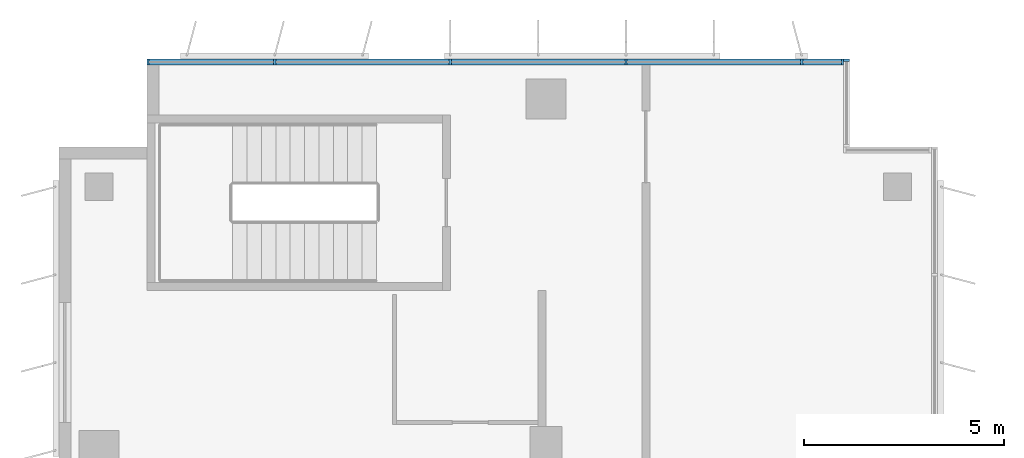
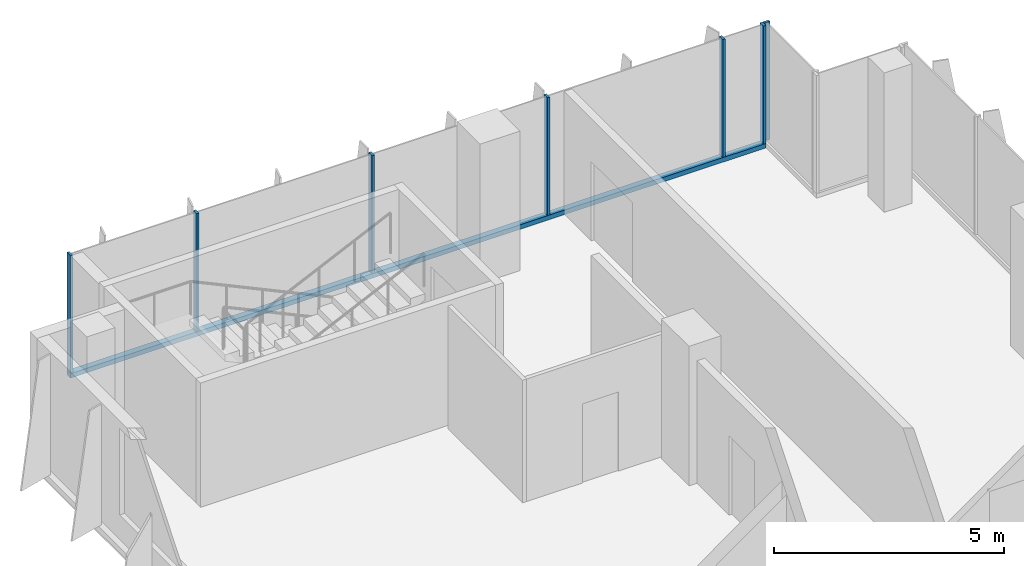
# One storey, part 9 of 21: 8 members, 2 elements without a shape of their own.
"""IFC4 building model written with IfcOpenShell, lengths in metres."""

from ifc_helpers import new_model, si_unit, direction, frame, origin, origin_2d, place, context, subcontext, project, spatial, rectangle, extrude, source, transform, mapped, material, material_profile, profile_set, type_object, element, aggregate, save


model = new_model("IFC4")

# Units and contexts
model_context = context("Model", 3, precision=1e-05, world=origin(), true_north=direction((0.0, 1.0)))
body_context = subcontext(model_context, "Body", "Model", "MODEL_VIEW")
ifc_project = project(units=[si_unit("LENGTHUNIT", "METRE"), si_unit("AREAUNIT", "SQUARE_METRE"), si_unit("VOLUMEUNIT", "CUBIC_METRE"), si_unit("PLANEANGLEUNIT", "RADIAN"), si_unit("MASSUNIT", "GRAM", prefix="KILO")], contexts=[model_context])

# Site, building, storey
site_placement = place(None, origin())
site = spatial("IfcSite", under=ifc_project, at=site_placement, CompositionType="ELEMENT")
building_placement = place(site_placement, origin())
building = spatial("IfcBuilding", under=site, at=building_placement, Name="Kemantara Hotel Tower", CompositionType="ELEMENT")
storey_placement = place(building_placement, frame((0.0, 0.0, 198.800048828125)))
storey = spatial("IfcBuildingStorey", under=building, at=storey_placement, Name="L49", CompositionType="ELEMENT", Elevation=198.800048828125)

# Curtain wall, members
ifc_material_1 = material(Name="Low-E tinted double insulated glass 36 mm", Category="glass")
curtain_wall_type = type_object("IfcCurtainWallType", Name="TOWER CURTAIN WALL, FRONT FACES", PredefinedType="USERDEFINED", material=ifc_material_1)
curtain_wall_1_placement = place(storey_placement, origin())
curtain_wall_1 = element("IfcCurtainWall", 1, at=curtain_wall_1_placement, inside=storey, type_object=curtain_wall_type, Name="CW4 L49 T3-R02-1", ObjectType="TOWER CURTAIN WALL, FRONT FACES", PredefinedType="USERDEFINED")
ifc_material_2 = material(Name="Aluminium 6063-T6 bronze anodised", Category="aluminium")
ifc_material_profile_1 = material_profile(ifc_material_2, rectangle(XDim=0.14990234375, YDim=0.1201171875, at=origin_2d()), Name="TOWER CURTAIN WALL, FRONT FACES TRANSOM")
ifc_profile_set_1 = profile_set([ifc_material_profile_1], Name="Aluminium 6063-T6 bronze anodised")
member_type_1 = type_object("IfcMemberType", Name="TOWER CURTAIN WALL, FRONT FACES TRANSOM", PredefinedType="USERDEFINED", material=ifc_profile_set_1)
member_1_placement = place(storey_placement, frame((19.64990234375, 63.52490234375, 0.06005859375), z_axis=(-1.0, 0.0, 0.0), x_axis=(0.0, -1.0, 0.0)))
member_1 = element("IfcMember", 2, at=member_1_placement, type_object=member_type_1, Name="CW4 sill transom T3-R02-1", ObjectType="TRANSOM", PredefinedType="USERDEFINED", context=body_context, shape_type="SweptSolid", body=[
    extrude(rectangle(XDim=0.14990234375, YDim=0.1201171875, at=origin_2d()), origin(), (0.0, 0.0, 1.0), 17.449951171875),
])
ifc_material_profile_2 = material_profile(ifc_material_2, rectangle(XDim=0.14990234375, YDim=0.06005859375, at=origin_2d()), Name="TOWER CURTAIN WALL, FRONT FACES MULLION")
ifc_profile_set_2 = profile_set([ifc_material_profile_2], Name="Aluminium 6063-T6 bronze anodised")
member_type_2 = type_object("IfcMemberType", Name="TOWER CURTAIN WALL, FRONT FACES MULLION", PredefinedType="MULLION", material=ifc_profile_set_2)
shared_shape = source(origin(), body_context, "Body", "SweptSolid", [
    extrude(rectangle(XDim=0.14990234375, YDim=0.06005859375, at=origin_2d()), origin(), (0.0, 0.0, 1.0), 3.130126953125),
])
member_2_placement = place(storey_placement, frame((19.6201171875, 63.52490234375, 0.119873046875), z_axis=(0.0, 0.0, 1.0), x_axis=(0.0, -1.0, 0.0)))
member_2 = element("IfcMember", 3, at=member_2_placement, type_object=member_type_2, Name="CW4 mullion T3-R02-1.1", PredefinedType="MULLION", context=body_context, shape_type="MappedRepresentation", body=[
    mapped(shared_shape, transform((0.0, 0.0, 0.0))),
])
member_3_placement = place(storey_placement, frame((18.60009765625, 63.52490234375, 0.119873046875), z_axis=(0.0, 0.0, 1.0), x_axis=(0.0, -1.0, 0.0)))
member_3 = element("IfcMember", 4, at=member_3_placement, type_object=member_type_2, Name="CW4 mullion T3-R02-1.2", PredefinedType="MULLION", context=body_context, shape_type="MappedRepresentation", body=[
    mapped(shared_shape, transform((0.0, 0.0, 0.0))),
])
member_4_placement = place(storey_placement, frame((14.199951171875, 63.52490234375, 0.119873046875), z_axis=(0.0, 0.0, 1.0), x_axis=(0.0, -1.0, 0.0)))
member_4 = element("IfcMember", 5, at=member_4_placement, type_object=member_type_2, Name="CW4 mullion T3-R02-1.3", PredefinedType="MULLION", context=body_context, shape_type="MappedRepresentation", body=[
    mapped(shared_shape, transform((0.0, 0.0, 0.0))),
])
member_5_placement = place(storey_placement, frame((9.800048828125, 63.52490234375, 0.119873046875), z_axis=(0.0, 0.0, 1.0), x_axis=(0.0, -1.0, 0.0)))
member_5 = element("IfcMember", 6, at=member_5_placement, type_object=member_type_2, Name="CW4 mullion T3-R02-1.4", PredefinedType="MULLION", context=body_context, shape_type="MappedRepresentation", body=[
    mapped(shared_shape, transform((0.0, 0.0, 0.0))),
])
member_6_placement = place(storey_placement, frame((5.39990234375, 63.52490234375, 0.119873046875), z_axis=(0.0, 0.0, 1.0), x_axis=(0.0, -1.0, 0.0)))
member_6 = element("IfcMember", 7, at=member_6_placement, type_object=member_type_2, Name="CW4 mullion T3-R02-1.5", PredefinedType="MULLION", context=body_context, shape_type="MappedRepresentation", body=[
    mapped(shared_shape, transform((0.0, 0.0, 0.0))),
])
member_7_placement = place(storey_placement, frame((2.22998046875, 63.52490234375, 0.119873046875), z_axis=(0.0, 0.0, 1.0), x_axis=(0.0, -1.0, 0.0)))
member_7 = element("IfcMember", 8, at=member_7_placement, type_object=member_type_2, Name="CW4 mullion T3-R02-1.6", PredefinedType="MULLION", context=body_context, shape_type="MappedRepresentation", body=[
    mapped(shared_shape, transform((0.0, 0.0, 0.0))),
])
aggregate(curtain_wall_1, [member_1, member_2, member_3, member_4, member_5, member_6, member_7])

# Curtain wall, member
curtain_wall_2_placement = place(storey_placement, origin())
curtain_wall_2 = element("IfcCurtainWall", 9, at=curtain_wall_2_placement, inside=storey, type_object=curtain_wall_type, Name="CW4 L49 T3-R01-1", ObjectType="TOWER CURTAIN WALL, FRONT FACES", PredefinedType="USERDEFINED")
member_8_placement = place(storey_placement, frame((19.72509765625, 63.570068359375, 0.119873046875), z_axis=(0.0, 0.0, 1.0), x_axis=(-1.0, 0.0, 0.0)))
member_8 = element("IfcMember", 10, at=member_8_placement, type_object=member_type_2, Name="CW4 mullion T3-R01-1.2", PredefinedType="MULLION", context=body_context, shape_type="MappedRepresentation", body=[
    mapped(shared_shape, transform((0.0, 0.0, 0.0))),
])
aggregate(curtain_wall_2, [member_8])

save(model, "model.ifc")
